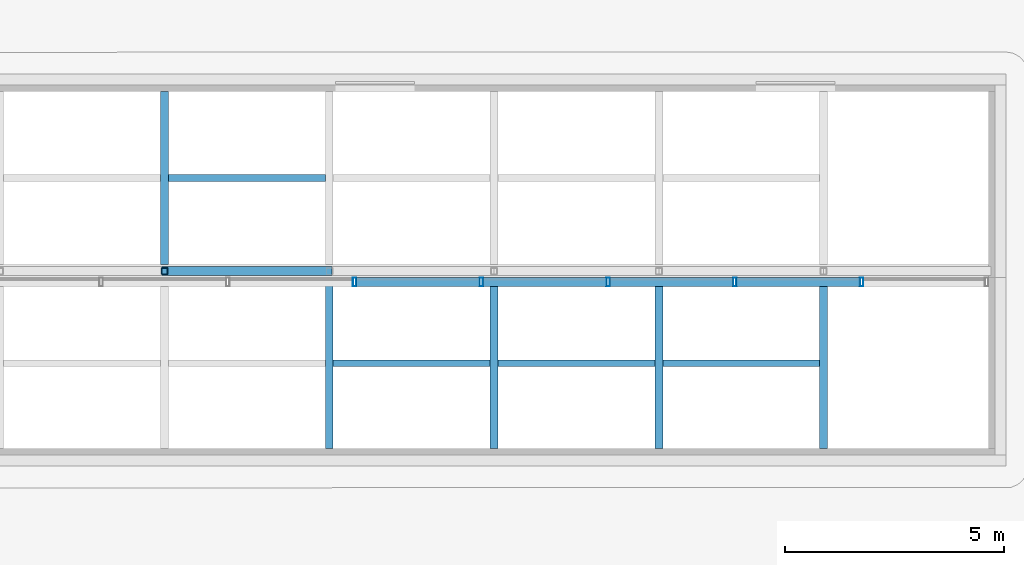
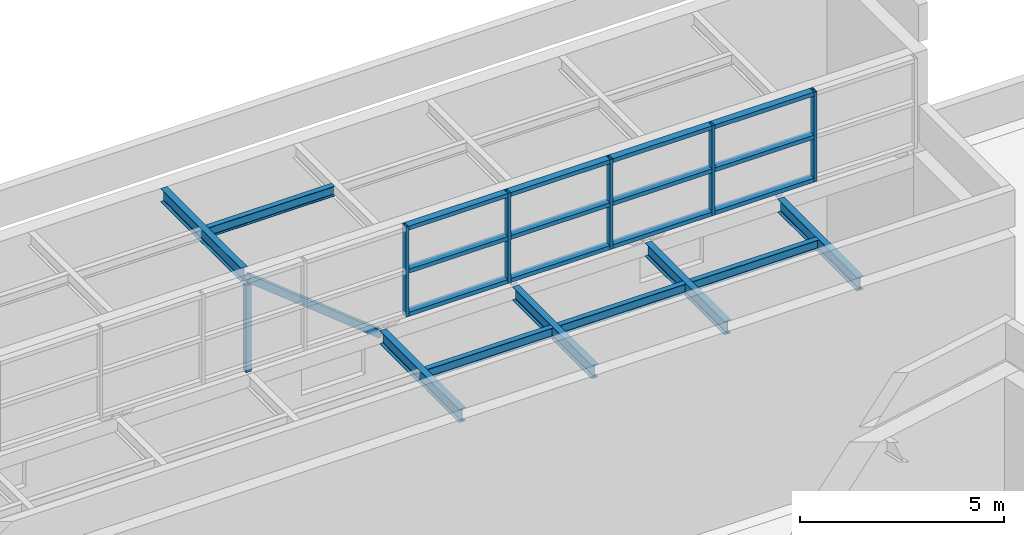
# One storey, part 53 of 72: 23 members, 5 beams, 1 element without a shape of its own.
"""IFC4 building model written with IfcOpenShell, lengths in metres."""

from ifc_helpers import new_model, si_unit, direction, frame, origin, origin_2d, place, context, subcontext, project, spatial, hollow_rectangle, i_section, extrude, material, layer, layer_set, material_profile, profile_set, type_object, element, aggregate, save


model = new_model("IFC4")

# Units and contexts
model_context = context("Model", 3, precision=1e-05, world=origin(), true_north=direction((0.0, 1.0)))
body_context = subcontext(model_context, "Body", "Model", "MODEL_VIEW")
ifc_project = project(units=[si_unit("LENGTHUNIT", "METRE"), si_unit("AREAUNIT", "SQUARE_METRE"), si_unit("VOLUMEUNIT", "CUBIC_METRE"), si_unit("PLANEANGLEUNIT", "RADIAN"), si_unit("MASSUNIT", "GRAM", prefix="KILO")], contexts=[model_context])

# Site, building, storey
site_placement = place(None, origin())
site = spatial("IfcSite", under=ifc_project, at=site_placement, CompositionType="ELEMENT")
building_placement = place(site_placement, origin())
building = spatial("IfcBuilding", under=site, at=building_placement, Name="Nzadi Deep Aquarium and Research Tower", CompositionType="ELEMENT")
storey_placement = place(building_placement, frame((0.0, 0.0, 31.89990234375)))
storey = spatial("IfcBuildingStorey", under=building, at=storey_placement, Name="L05", CompositionType="ELEMENT", Elevation=31.89990234375)

# Members
ifc_material_1 = material(Name="Steel S355", Category="steel")
ifc_material_profile_1 = material_profile(ifc_material_1, i_section(OverallWidth=0.14990234375, OverallDepth=0.300048828125, WebThickness=0.007080078125, FlangeThickness=0.0107421875, FilletRadius=0.014892578125, at=origin_2d()))
ifc_profile_set_1 = profile_set([ifc_material_profile_1], Name="Steel S355")
member_type_1 = type_object("IfcMemberType", Name="IPE 300", PredefinedType="PURLIN", material=ifc_profile_set_1)
for number, where, z_axis, x_axis, name in (
    (1, (32.64990234375, 133.949951171875, 5.650146484375), (1.0, 0.0, 0.0), (0.0, 1.0, 0.0), "MB-HL-ROOF-SPU-6"),
    (2, (36.409912109375, 133.949951171875, 5.650146484375), (1.0, 0.0, 0.0), (0.0, 1.0, 0.0), "MB-HL-ROOF-SPU-7"),
    (3, (40.169921875, 133.949951171875, 5.650146484375), (1.0, 0.0, 0.0), (0.0, 1.0, 0.0), "MB-HL-ROOF-SPU-8"),
    (4, (28.889892578125, 138.175048828125, 8.650146484375), (1.0, 0.0, 0.0), (0.0, 1.0, 0.0), "MB-HL-ROOF-NPU-5"),
):
    element("IfcMember", number, at=place(storey_placement, frame(where, z_axis=z_axis, x_axis=x_axis)), inside=storey, type_object=member_type_1, Name=name, PredefinedType="PURLIN", context=body_context, shape_type="SweptSolid", body=[
        extrude(i_section(OverallWidth=0.14990234375, OverallDepth=0.300048828125, WebThickness=0.007080078125, FlangeThickness=0.0107421875, FilletRadius=0.014892578125, at=origin_2d()), origin(), (0.0, 0.0, 1.0), 3.580078125),
    ])

# Beams
ifc_material_2 = material(Name="Steel S355", Category="steel")
ifc_material_profile_2 = material_profile(ifc_material_2, i_section(OverallWidth=0.179931640625, OverallDepth=0.39990234375, WebThickness=0.008544921875, FlangeThickness=0.013427734375, FilletRadius=0.02099609375, at=origin_2d()))
ifc_profile_set_2 = profile_set([ifc_material_profile_2], Name="Steel S355")
beam_type = type_object("IfcBeamType", Name="IPE 400", PredefinedType="BEAM", material=ifc_profile_set_2)
beam_placement = place(storey_placement, frame((28.800048828125, 136.199951171875, 8.60009765625), z_axis=(0.0, 1.0, 0.0), x_axis=(-1.0, 0.0, 0.0)))
element("IfcBeam", 5, at=beam_placement, inside=storey, type_object=beam_type, Name="B-HL-ROOF-H5", PredefinedType="BEAM", context=body_context, shape_type="SweptSolid", body=[
    extrude(i_section(OverallWidth=0.179931640625, OverallDepth=0.39990234375, WebThickness=0.008544921875, FlangeThickness=0.013427734375, FilletRadius=0.02099609375, at=origin_2d()), origin(), (0.0, 0.0, 1.0), 3.949951171875),
])
for number, where, z_axis, x_axis, name in (
    (6, (32.56005859375, 132.0, 5.60009765625), (0.0, 1.0, 0.0), (-1.0, 0.0, 0.0), "B-HL-ROOF-G6"),
    (7, (36.320068359375, 132.0, 5.60009765625), (0.0, 1.0, 0.0), (-1.0, 0.0, 0.0), "B-HL-ROOF-G7"),
    (8, (40.080078125, 132.0, 5.60009765625), (0.0, 1.0, 0.0), (-1.0, 0.0, 0.0), "B-HL-ROOF-G8"),
    (9, (43.840087890625, 132.0, 5.60009765625), (0.0, 1.0, 0.0), (-1.0, 0.0, 0.0), "B-HL-ROOF-G9"),
):
    element("IfcBeam", number, at=place(storey_placement, frame(where, z_axis=z_axis, x_axis=x_axis)), inside=storey, type_object=beam_type, Name=name, PredefinedType="BEAM", context=body_context, shape_type="SweptSolid", body=[
        extrude(i_section(OverallWidth=0.179931640625, OverallDepth=0.39990234375, WebThickness=0.008544921875, FlangeThickness=0.013427734375, FilletRadius=0.02099609375, at=origin_2d()), origin(), (0.0, 0.0, 1.0), 3.89990234375),
    ])

# Curtain wall, members
ifc_material_3 = material(Name="Aluminium glazing frame tall", Category="aluminium")
ifc_layer = layer(ifc_material_3, 0.199951171875)
ifc_layer_set = layer_set([ifc_layer], Name="Aluminium glazing frame tall")
curtain_wall_type = type_object("IfcCurtainWallType", Name="Curtain wall Clerestory Tall 200", PredefinedType="NOTDEFINED", material=ifc_layer_set)
curtain_wall_placement = place(storey_placement, origin())
curtain_wall = element("IfcCurtainWall", 10, at=curtain_wall_placement, inside=storey, type_object=curtain_wall_type, Name="Events hall clerestory glazing", PredefinedType="NOTDEFINED")
ifc_material_4 = material(Name="Aluminium glazing frame tall", Category="aluminium")
ifc_material_profile_3 = material_profile(ifc_material_4, hollow_rectangle(XDim=0.199951171875, YDim=0.080078125, WallThickness=0.0048828125, at=origin_2d()))
ifc_profile_set_3 = profile_set([ifc_material_profile_3], Name="Aluminium glazing frame tall")
member_type_2 = type_object("IfcMemberType", Name="Mullion 80x200 Clerestory Tall", PredefinedType="MULLION", material=ifc_profile_set_3)
member_1_placement = place(storey_placement, frame((33.138427734375, 135.800048828125, 6.10009765625), z_axis=(0.0, 0.0, 1.0), x_axis=(0.0, 1.0, 0.0)))
member_1 = element("IfcMember", 11, at=member_1_placement, type_object=member_type_2, Name="CW259 mullion 9", PredefinedType="MULLION", context=body_context, shape_type="SweptSolid", body=[
    extrude(hollow_rectangle(XDim=0.199951171875, YDim=0.080078125, WallThickness=0.0048828125, at=origin_2d()), origin(), (0.0, 0.0, 1.0), 2.699951171875),
])
member_2_placement = place(storey_placement, frame((36.03076171875, 135.800048828125, 6.10009765625), z_axis=(0.0, 0.0, 1.0), x_axis=(0.0, 1.0, 0.0)))
member_2 = element("IfcMember", 12, at=member_2_placement, type_object=member_type_2, Name="CW259 mullion 10", PredefinedType="MULLION", context=body_context, shape_type="SweptSolid", body=[
    extrude(hollow_rectangle(XDim=0.199951171875, YDim=0.080078125, WallThickness=0.0048828125, at=origin_2d()), origin(), (0.0, 0.0, 1.0), 2.699951171875),
])
member_3_placement = place(storey_placement, frame((38.923095703125, 135.800048828125, 6.10009765625), z_axis=(0.0, 0.0, 1.0), x_axis=(0.0, 1.0, 0.0)))
member_3 = element("IfcMember", 13, at=member_3_placement, type_object=member_type_2, Name="CW259 mullion 11", PredefinedType="MULLION", context=body_context, shape_type="SweptSolid", body=[
    extrude(hollow_rectangle(XDim=0.199951171875, YDim=0.080078125, WallThickness=0.0048828125, at=origin_2d()), origin(), (0.0, 0.0, 1.0), 2.699951171875),
])
member_4_placement = place(storey_placement, frame((41.8154296875, 135.800048828125, 6.10009765625), z_axis=(0.0, 0.0, 1.0), x_axis=(0.0, 1.0, 0.0)))
member_4 = element("IfcMember", 14, at=member_4_placement, type_object=member_type_2, Name="CW259 mullion 12", PredefinedType="MULLION", context=body_context, shape_type="SweptSolid", body=[
    extrude(hollow_rectangle(XDim=0.199951171875, YDim=0.080078125, WallThickness=0.0048828125, at=origin_2d()), origin(), (0.0, 0.0, 1.0), 2.699951171875),
])
member_5_placement = place(storey_placement, frame((44.707763671875, 135.800048828125, 6.10009765625), z_axis=(0.0, 0.0, 1.0), x_axis=(0.0, 1.0, 0.0)))
member_5 = element("IfcMember", 15, at=member_5_placement, type_object=member_type_2, Name="CW259 mullion 13", PredefinedType="MULLION", context=body_context, shape_type="SweptSolid", body=[
    extrude(hollow_rectangle(XDim=0.199951171875, YDim=0.080078125, WallThickness=0.0048828125, at=origin_2d()), origin(), (0.0, 0.0, 1.0), 2.699951171875),
])

# Members
ifc_material_5 = material(Name="Steel S355", Category="steel")
ifc_material_profile_4 = material_profile(ifc_material_5, hollow_rectangle(XDim=0.14990234375, YDim=0.14990234375, WallThickness=0.008056640625, at=origin_2d()))
ifc_profile_set_4 = profile_set([ifc_material_profile_4], Name="Steel S355")
member_type_3 = type_object("IfcMemberType", Name="RHS 150x150x8 post", PredefinedType="POST", material=ifc_profile_set_4)
member_6_placement = place(storey_placement, frame((28.800048828125, 136.050048828125, 5.800048828125), z_axis=(0.0, 0.0, 1.0), x_axis=(1.0, 0.0, 0.0)))
element("IfcMember", 16, at=member_6_placement, inside=storey, type_object=member_type_3, Name="MB-HL-STEP-V5", PredefinedType="POST", context=body_context, shape_type="SweptSolid", body=[
    extrude(hollow_rectangle(XDim=0.14990234375, YDim=0.14990234375, WallThickness=0.008056640625, at=origin_2d()), origin(), (0.0, 0.0, 1.0), 2.60009765625),
])
ifc_material_6 = material(Name="Steel S355", Category="steel")
ifc_material_profile_5 = material_profile(ifc_material_6, hollow_rectangle(XDim=0.199951171875, YDim=0.199951171875, WallThickness=0.011962890625, at=origin_2d()))
ifc_profile_set_5 = profile_set([ifc_material_profile_5], Name="Steel S355")
member_type_4 = type_object("IfcMemberType", Name="RHS 200x200x12 brace", PredefinedType="BRACE", material=ifc_profile_set_5)
member_7_placement = place(storey_placement, frame((28.800048828125, 136.050048828125, 8.60009765625), z_axis=(0.781680232216, 0.0, -0.623679416497), x_axis=(0.0, 1.0, 0.0)))
element("IfcMember", 17, at=member_7_placement, inside=storey, type_object=member_type_4, Name="MB-HL-STEP-D6", PredefinedType="BRACE", context=body_context, shape_type="SweptSolid", body=[
    extrude(hollow_rectangle(XDim=0.199951171875, YDim=0.199951171875, WallThickness=0.011962890625, at=origin_2d()), origin(), (0.0, 0.0, 1.0), 4.81005859375),
])

# Member
ifc_material_7 = material(Name="Aluminium glazing frame tall", Category="aluminium")
ifc_material_profile_6 = material_profile(ifc_material_7, hollow_rectangle(XDim=0.199951171875, YDim=0.1201171875, WallThickness=0.0048828125, at=origin_2d()))
ifc_profile_set_6 = profile_set([ifc_material_profile_6], Name="Aluminium glazing frame tall")
member_type_5 = type_object("IfcMemberType", Name="Transom 120x200 Clerestory Tall", PredefinedType="MULLION", material=ifc_profile_set_6)
member_8_placement = place(storey_placement, frame((33.178466796875, 135.800048828125, 6.16015625), z_axis=(1.0, 0.0, 0.0), x_axis=(0.0, 1.0, 0.0)))
member_8 = element("IfcMember", 18, at=member_8_placement, type_object=member_type_5, Name="CW259 transom 9.1", PredefinedType="MULLION", context=body_context, shape_type="SweptSolid", body=[
    extrude(hollow_rectangle(XDim=0.199951171875, YDim=0.1201171875, WallThickness=0.0048828125, at=origin_2d()), origin(), (0.0, 0.0, 1.0), 2.812255859375),
])

member_9_placement = place(storey_placement, frame((33.178466796875, 135.800048828125, 7.4501953125), z_axis=(1.0, 0.0, 0.0), x_axis=(0.0, 1.0, 0.0)))
member_9 = element("IfcMember", 19, at=member_9_placement, type_object=member_type_5, Name="CW259 transom 9.2", PredefinedType="MULLION", context=body_context, shape_type="SweptSolid", body=[
    extrude(hollow_rectangle(XDim=0.199951171875, YDim=0.1201171875, WallThickness=0.0048828125, at=origin_2d()), origin(), (0.0, 0.0, 1.0), 2.812255859375),
])

member_10_placement = place(storey_placement, frame((33.178466796875, 135.800048828125, 8.739990234375), z_axis=(1.0, 0.0, 0.0), x_axis=(0.0, 1.0, 0.0)))
member_10 = element("IfcMember", 20, at=member_10_placement, type_object=member_type_5, Name="CW259 transom 9.3", PredefinedType="MULLION", context=body_context, shape_type="SweptSolid", body=[
    extrude(hollow_rectangle(XDim=0.199951171875, YDim=0.1201171875, WallThickness=0.0048828125, at=origin_2d()), origin(), (0.0, 0.0, 1.0), 2.812255859375),
])

member_11_placement = place(storey_placement, frame((36.07080078125, 135.800048828125, 6.16015625), z_axis=(1.0, 0.0, 0.0), x_axis=(0.0, 1.0, 0.0)))
member_11 = element("IfcMember", 21, at=member_11_placement, type_object=member_type_5, Name="CW259 transom 10.1", PredefinedType="MULLION", context=body_context, shape_type="SweptSolid", body=[
    extrude(hollow_rectangle(XDim=0.199951171875, YDim=0.1201171875, WallThickness=0.0048828125, at=origin_2d()), origin(), (0.0, 0.0, 1.0), 2.812255859375),
])

member_12_placement = place(storey_placement, frame((36.07080078125, 135.800048828125, 7.4501953125), z_axis=(1.0, 0.0, 0.0), x_axis=(0.0, 1.0, 0.0)))
member_12 = element("IfcMember", 22, at=member_12_placement, type_object=member_type_5, Name="CW259 transom 10.2", PredefinedType="MULLION", context=body_context, shape_type="SweptSolid", body=[
    extrude(hollow_rectangle(XDim=0.199951171875, YDim=0.1201171875, WallThickness=0.0048828125, at=origin_2d()), origin(), (0.0, 0.0, 1.0), 2.812255859375),
])

member_13_placement = place(storey_placement, frame((36.07080078125, 135.800048828125, 8.739990234375), z_axis=(1.0, 0.0, 0.0), x_axis=(0.0, 1.0, 0.0)))
member_13 = element("IfcMember", 23, at=member_13_placement, type_object=member_type_5, Name="CW259 transom 10.3", PredefinedType="MULLION", context=body_context, shape_type="SweptSolid", body=[
    extrude(hollow_rectangle(XDim=0.199951171875, YDim=0.1201171875, WallThickness=0.0048828125, at=origin_2d()), origin(), (0.0, 0.0, 1.0), 2.812255859375),
])

member_14_placement = place(storey_placement, frame((38.963134765625, 135.800048828125, 6.16015625), z_axis=(1.0, 0.0, 0.0), x_axis=(0.0, 1.0, 0.0)))
member_14 = element("IfcMember", 24, at=member_14_placement, type_object=member_type_5, Name="CW259 transom 11.1", PredefinedType="MULLION", context=body_context, shape_type="SweptSolid", body=[
    extrude(hollow_rectangle(XDim=0.199951171875, YDim=0.1201171875, WallThickness=0.0048828125, at=origin_2d()), origin(), (0.0, 0.0, 1.0), 2.812255859375),
])

member_15_placement = place(storey_placement, frame((38.963134765625, 135.800048828125, 7.4501953125), z_axis=(1.0, 0.0, 0.0), x_axis=(0.0, 1.0, 0.0)))
member_15 = element("IfcMember", 25, at=member_15_placement, type_object=member_type_5, Name="CW259 transom 11.2", PredefinedType="MULLION", context=body_context, shape_type="SweptSolid", body=[
    extrude(hollow_rectangle(XDim=0.199951171875, YDim=0.1201171875, WallThickness=0.0048828125, at=origin_2d()), origin(), (0.0, 0.0, 1.0), 2.812255859375),
])

member_16_placement = place(storey_placement, frame((38.963134765625, 135.800048828125, 8.739990234375), z_axis=(1.0, 0.0, 0.0), x_axis=(0.0, 1.0, 0.0)))
member_16 = element("IfcMember", 26, at=member_16_placement, type_object=member_type_5, Name="CW259 transom 11.3", PredefinedType="MULLION", context=body_context, shape_type="SweptSolid", body=[
    extrude(hollow_rectangle(XDim=0.199951171875, YDim=0.1201171875, WallThickness=0.0048828125, at=origin_2d()), origin(), (0.0, 0.0, 1.0), 2.812255859375),
])

member_17_placement = place(storey_placement, frame((41.85546875, 135.800048828125, 6.16015625), z_axis=(1.0, 0.0, 0.0), x_axis=(0.0, 1.0, 0.0)))
member_17 = element("IfcMember", 27, at=member_17_placement, type_object=member_type_5, Name="CW259 transom 12.1", PredefinedType="MULLION", context=body_context, shape_type="SweptSolid", body=[
    extrude(hollow_rectangle(XDim=0.199951171875, YDim=0.1201171875, WallThickness=0.0048828125, at=origin_2d()), origin(), (0.0, 0.0, 1.0), 2.812255859375),
])

member_18_placement = place(storey_placement, frame((41.85546875, 135.800048828125, 7.4501953125), z_axis=(1.0, 0.0, 0.0), x_axis=(0.0, 1.0, 0.0)))
member_18 = element("IfcMember", 28, at=member_18_placement, type_object=member_type_5, Name="CW259 transom 12.2", PredefinedType="MULLION", context=body_context, shape_type="SweptSolid", body=[
    extrude(hollow_rectangle(XDim=0.199951171875, YDim=0.1201171875, WallThickness=0.0048828125, at=origin_2d()), origin(), (0.0, 0.0, 1.0), 2.812255859375),
])

member_19_placement = place(storey_placement, frame((41.85546875, 135.800048828125, 8.739990234375), z_axis=(1.0, 0.0, 0.0), x_axis=(0.0, 1.0, 0.0)))
member_19 = element("IfcMember", 29, at=member_19_placement, type_object=member_type_5, Name="CW259 transom 12.3", PredefinedType="MULLION", context=body_context, shape_type="SweptSolid", body=[
    extrude(hollow_rectangle(XDim=0.199951171875, YDim=0.1201171875, WallThickness=0.0048828125, at=origin_2d()), origin(), (0.0, 0.0, 1.0), 2.812255859375),
])

aggregate(curtain_wall, [member_1, member_2, member_3, member_4, member_5, member_8, member_9, member_10, member_11, member_12, member_13, member_14, member_15, member_16, member_17, member_18, member_19])

save(model, "model.ifc")
